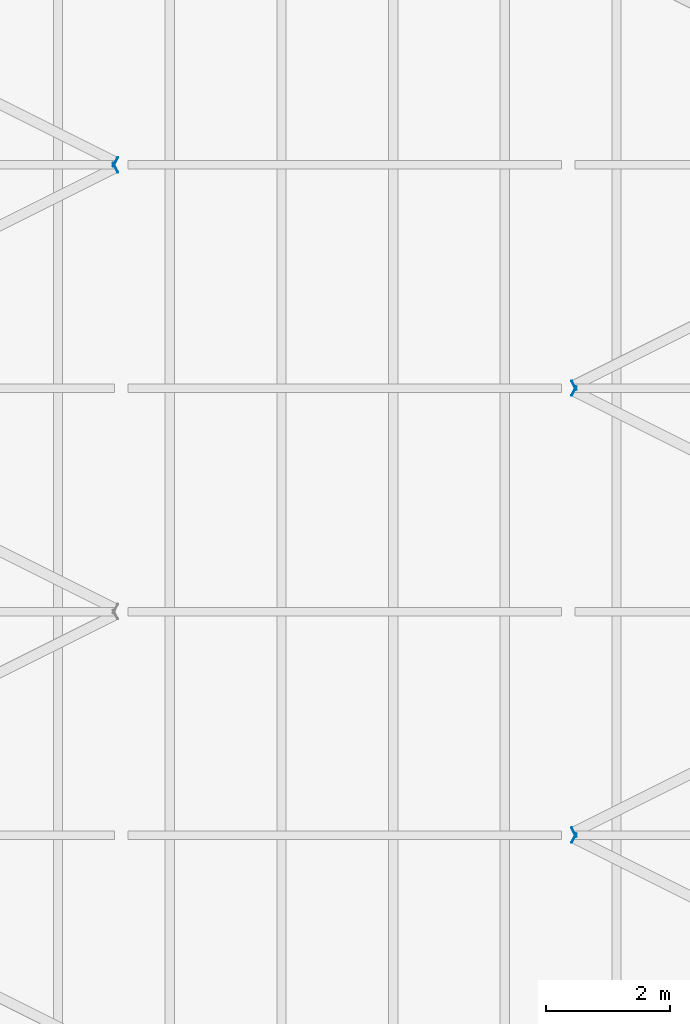
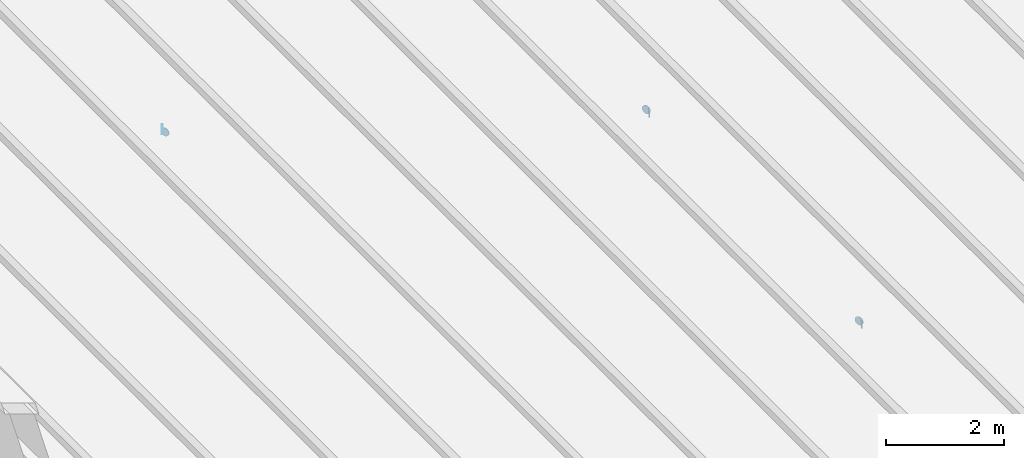
# One storey, part 72 of 110: 6 discrete accessories.
"""IFC4 building model written with IfcOpenShell, lengths in metres."""

from ifc_helpers import new_model, si_unit, direction, frame, origin, origin_2d, place, context, subcontext, project, spatial, circle, extrude, material, layer, layer_set, type_object, element, save


model = new_model("IFC4")

# Units and contexts
model_context = context("Model", 3, precision=1e-05, world=origin(), true_north=direction((0.0, 1.0)))
body_context = subcontext(model_context, "Body", "Model", "MODEL_VIEW")
ifc_project = project(units=[si_unit("LENGTHUNIT", "METRE"), si_unit("AREAUNIT", "SQUARE_METRE"), si_unit("VOLUMEUNIT", "CUBIC_METRE"), si_unit("PLANEANGLEUNIT", "RADIAN"), si_unit("MASSUNIT", "GRAM", prefix="KILO")], contexts=[model_context])

# Site, building, storey
site_placement = place(None, origin())
site = spatial("IfcSite", under=ifc_project, at=site_placement, CompositionType="ELEMENT")
building_placement = place(site_placement, origin())
building = spatial("IfcBuilding", under=site, at=building_placement, Name="Kupolbacken Congress Centre", CompositionType="ELEMENT")
storey_placement = place(building_placement, frame((0.0, 0.0, 18.0)))
storey = spatial("IfcBuildingStorey", under=building, at=storey_placement, Name="L05", CompositionType="ELEMENT", Elevation=18.0)

# Discrete accessories
ifc_material = material(Name="Steel S355", Category="steel")
ifc_layer = layer(ifc_material, 0.011962890625)
ifc_layer_set = layer_set([ifc_layer], Name="Steel S355")
discrete_accessory_type = type_object("IfcDiscreteAccessoryType", Name="EC2 tube end cap plate 168 dia x 12", PredefinedType="BRACKET", material=ifc_layer_set)
for number, where, z_axis, x_axis, name in (
    (1, (158.301513671875, 143.95068359375, -0.084228515625), (0.886225443962, 0.463254209344, 0.0), (-0.463254209344, 0.886225443962, 0.0), "End cap plate BR/RB/01-05 B"),
    (2, (158.301513671875, 144.04931640625, -0.084228515625), (0.886225443962, -0.463254209344, 0.0), (0.463254209344, 0.886225443962, 0.0), "End cap plate BR/RB/01-06 A"),
):
    element("IfcDiscreteAccessory", number, at=place(storey_placement, frame(where, z_axis=z_axis, x_axis=x_axis)), inside=storey, type_object=discrete_accessory_type, Name=name, PredefinedType="BRACKET", context=body_context, shape_type="SweptSolid", body=[
        extrude(circle(Radius=0.084228515625, at=origin_2d()), origin(), (0.0, 0.0, 1.0), 0.01220703125),
    ])
for number, where, z_axis, x_axis, name in (
    (3, (165.698486328125, 133.15087890625, -0.084228515625), (-0.894427191, 0.4472135955, 0.0), (-0.4472135955, -0.894427191, 0.0), "End cap plate BR/RB/03-02 B"),
    (4, (165.698486328125, 133.249267578125, -0.084228515625), (-0.894427191, -0.4472135955, 0.0), (0.4472135955, -0.894427191, 0.0), "End cap plate BR/RB/03-03 A"),
    (5, (165.698486328125, 140.350830078125, -0.084228515625), (-0.894427191, 0.4472135955, 0.0), (-0.4472135955, -0.894427191, 0.0), "End cap plate BR/RB/03-04 B"),
    (6, (165.698486328125, 140.44921875, -0.084228515625), (-0.894427191, -0.4472135955, 0.0), (0.4472135955, -0.894427191, 0.0), "End cap plate BR/RB/03-05 A"),
):
    element("IfcDiscreteAccessory", number, at=place(storey_placement, frame(where, z_axis=z_axis, x_axis=x_axis)), inside=storey, type_object=discrete_accessory_type, Name=name, PredefinedType="BRACKET", context=body_context, shape_type="SweptSolid", body=[
        extrude(circle(Radius=0.084228515625, at=origin_2d()), origin(), (0.0, 0.0, 1.0), 0.011962890625),
    ])

save(model, "model.ifc")
